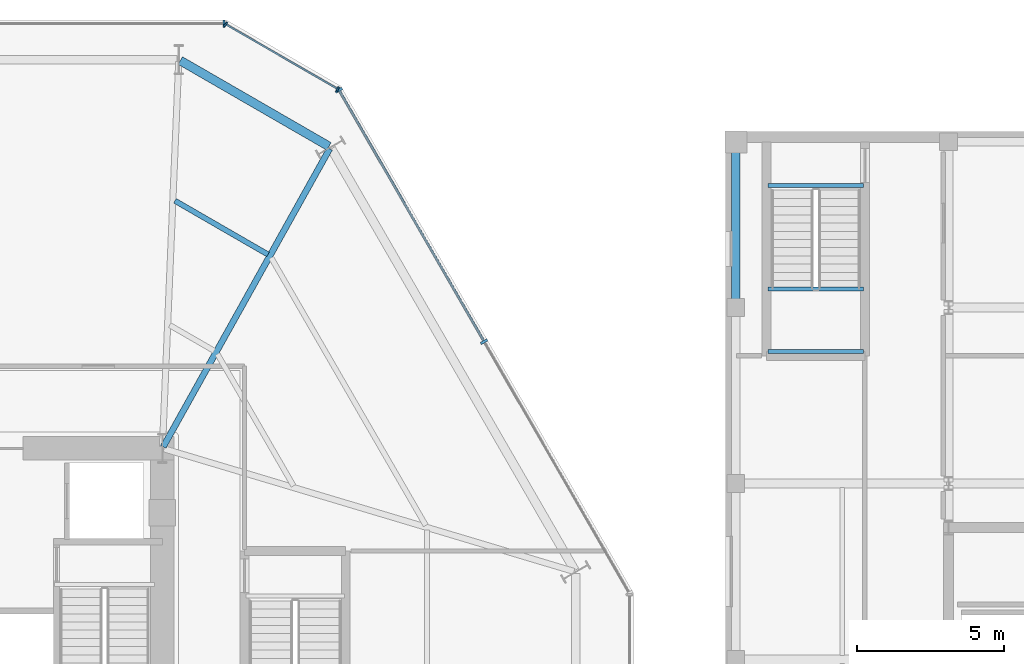
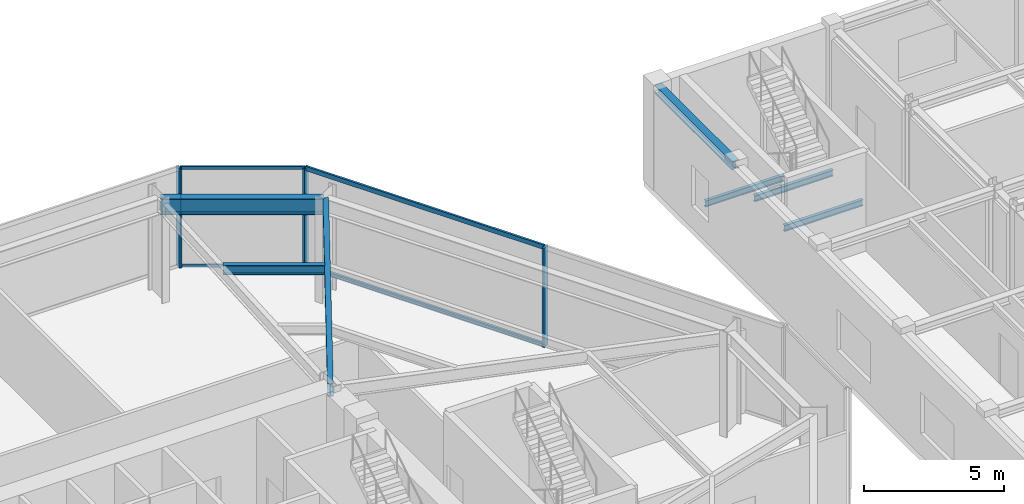
# One storey, part 13 of 22: 9 members, 7 beams, 3 elements without a shape of their own.
"""IFC4 building model written with IfcOpenShell, lengths in metres."""

from ifc_helpers import new_model, si_unit, direction, frame, origin, origin_2d, place, context, subcontext, project, spatial, rectangle, i_section, extrude, material, layer, layer_set, material_profile, profile_set, type_object, element, aggregate, save


model = new_model("IFC4")

# Units and contexts
model_context = context("Model", 3, precision=1e-05, world=origin(), true_north=direction((0.0, 1.0)))
body_context = subcontext(model_context, "Body", "Model", "MODEL_VIEW")
ifc_project = project(units=[si_unit("LENGTHUNIT", "METRE"), si_unit("AREAUNIT", "SQUARE_METRE"), si_unit("VOLUMEUNIT", "CUBIC_METRE"), si_unit("PLANEANGLEUNIT", "RADIAN"), si_unit("MASSUNIT", "GRAM", prefix="KILO")], contexts=[model_context])

# Site, building, storey
site_placement = place(None, origin())
site = spatial("IfcSite", under=ifc_project, at=site_placement, CompositionType="ELEMENT")
building_placement = place(site_placement, origin())
building = spatial("IfcBuilding", under=site, at=building_placement, Name="Kranzbogen Civic Tower", CompositionType="ELEMENT")
storey_placement = place(building_placement, frame((0.0, 0.0, 5.199951171875)))
storey = spatial("IfcBuildingStorey", under=building, at=storey_placement, Name="L01", CompositionType="ELEMENT", Elevation=5.199951171875)

# Curtain wall, members
ifc_material_1 = material(Name="Pale Anodised Aluminium", Category="aluminium")
ifc_layer_1 = layer(ifc_material_1, 0.219970703125, Name="Pale Anodised Aluminium")
ifc_layer_set_1 = layer_set([ifc_layer_1], Name="Pale Anodised Aluminium")
curtain_wall_type_1 = type_object("IfcCurtainWallType", Name="Chamfer Facet Stick Curtain Wall System CW-06", PredefinedType="USERDEFINED", material=ifc_layer_set_1)
curtain_wall_1_placement = place(storey_placement, origin())
curtain_wall_1 = element("IfcCurtainWall", 1, at=curtain_wall_1_placement, inside=storey, type_object=curtain_wall_type_1, Name="L01 curtain wall CW-L01-C1", ObjectType="STICK CURTAIN WALL", PredefinedType="USERDEFINED")
ifc_material_profile_1 = material_profile(ifc_material_1, rectangle(XDim=0.06005859375, YDim=0.159912109375, at=origin_2d()), Name="ALU-M 60x160")
ifc_profile_set_1 = profile_set([ifc_material_profile_1], Name="Pale Anodised Aluminium")
member_type_1 = type_object("IfcMemberType", Name="Curtain Wall Mullion ALU-M 60x160", PredefinedType="MULLION", material=ifc_profile_set_1)
member_1_placement = place(storey_placement, frame((38.778076171875, 44.450927734375, 0.0), z_axis=(0.0, 0.0, 1.0), x_axis=(-0.865992001897, 0.500057849305, 0.0)))
member_1 = element("IfcMember", 2, at=member_1_placement, type_object=member_type_1, Name="CW-06 mullion 1", PredefinedType="MULLION", context=body_context, shape_type="SweptSolid", body=[
    extrude(rectangle(XDim=0.06005859375, YDim=0.159912109375, at=origin_2d()), origin(), (0.0, 0.0, 1.0), 4.340087890625),
])
member_2_placement = place(storey_placement, frame((34.9560546875, 46.657958984375, 0.0), z_axis=(0.0, 0.0, 1.0), x_axis=(-0.865992001897, 0.500057849305, 0.0)))
member_2 = element("IfcMember", 3, at=member_2_placement, type_object=member_type_1, Name="CW-06 mullion 2", PredefinedType="MULLION", context=body_context, shape_type="SweptSolid", body=[
    extrude(rectangle(XDim=0.06005859375, YDim=0.159912109375, at=origin_2d()), origin(), (0.0, 0.0, 1.0), 4.340087890625),
])

ifc_layer_2 = layer(ifc_material_1, 0.219970703125, Name="Pale Anodised Aluminium")
ifc_layer_set_2 = layer_set([ifc_layer_2], Name="Pale Anodised Aluminium")
curtain_wall_type_2 = type_object("IfcCurtainWallType", Name="Podium Stick Curtain Wall System CW-01", PredefinedType="USERDEFINED", material=ifc_layer_set_2)
curtain_wall_2_placement = place(storey_placement, origin())
curtain_wall_2 = element("IfcCurtainWall", 4, at=curtain_wall_2_placement, inside=storey, type_object=curtain_wall_type_2, Name="L01 curtain wall CW-L01-F1", ObjectType="STICK CURTAIN WALL", PredefinedType="USERDEFINED")
ifc_material_profile_2 = material_profile(ifc_material_1, rectangle(XDim=0.0849609375, YDim=0.260009765625, at=origin_2d()), Name="ALU-M 85x260")
ifc_profile_set_2 = profile_set([ifc_material_profile_2], Name="Pale Anodised Aluminium")
member_type_2 = type_object("IfcMemberType", Name="Curtain Wall Mullion ALU-M 85x260", PredefinedType="MULLION", material=ifc_profile_set_2)
member_3_placement = place(storey_placement, frame((43.76904296875, 35.83642578125, 0.0), z_axis=(0.0, 0.0, 1.0), x_axis=(-0.500005767433, 0.86602207393, 0.0)))
member_3 = element("IfcMember", 5, at=member_3_placement, type_object=member_type_2, Name="CW-01 mullion 2", PredefinedType="MULLION", context=body_context, shape_type="SweptSolid", body=[
    extrude(rectangle(XDim=0.0849609375, YDim=0.260009765625, at=origin_2d()), origin(), (0.0, 0.0, 1.0), 4.340087890625),
])
member_4_placement = place(storey_placement, frame((38.819091796875, 44.409912109375, 0.0), z_axis=(0.0, 0.0, 1.0), x_axis=(-0.500005767433, 0.86602207393, 0.0)))
member_4 = element("IfcMember", 6, at=member_4_placement, type_object=member_type_2, Name="CW-01 mullion 3", PredefinedType="MULLION", context=body_context, shape_type="SweptSolid", body=[
    extrude(rectangle(XDim=0.0849609375, YDim=0.260009765625, at=origin_2d()), origin(), (0.0, 0.0, 1.0), 4.340087890625),
])

# Curtain wall, member
curtain_wall_3_placement = place(storey_placement, origin())
curtain_wall_3 = element("IfcCurtainWall", 7, at=curtain_wall_3_placement, inside=storey, type_object=curtain_wall_type_2, Name="L01 curtain wall CW-L01-F2", ObjectType="STICK CURTAIN WALL", PredefinedType="USERDEFINED")
member_5_placement = place(storey_placement, frame((34.89990234375, 46.673095703125, 0.0), z_axis=(0.0, 0.0, 1.0), x_axis=(-1.0, 0.0, 0.0)))
member_5 = element("IfcMember", 8, at=member_5_placement, type_object=member_type_2, Name="CW-01 mullion 1", PredefinedType="MULLION", context=body_context, shape_type="SweptSolid", body=[
    extrude(rectangle(XDim=0.0849609375, YDim=0.260009765625, at=origin_2d()), origin(), (0.0, 0.0, 1.0), 4.340087890625),
])
aggregate(curtain_wall_3, [member_5])

# Member
ifc_material_profile_3 = material_profile(ifc_material_1, rectangle(XDim=0.06005859375, YDim=0.1201171875, at=origin_2d()), Name="ALU-T 60x120")
ifc_profile_set_3 = profile_set([ifc_material_profile_3], Name="Pale Anodised Aluminium")
member_type_3 = type_object("IfcMemberType", Name="Curtain Wall Transom ALU-T 60x120", PredefinedType="USERDEFINED", material=ifc_profile_set_3)
member_6_placement = place(storey_placement, frame((38.751953125, 44.466064453125, 0.030029296875), z_axis=(-0.865987588642, 0.500065492029, 0.0), x_axis=(-0.500065492029, -0.865987588642, 0.0)))
member_6 = element("IfcMember", 9, at=member_6_placement, type_object=member_type_3, Name="CW-06 transom 1.1", ObjectType="TRANSOM", PredefinedType="USERDEFINED", context=body_context, shape_type="SweptSolid", body=[
    extrude(rectangle(XDim=0.06005859375, YDim=0.1201171875, at=origin_2d()), origin(), (0.0, 0.0, 1.0), 4.353515625),
])

member_7_placement = place(storey_placement, frame((38.751953125, 44.466064453125, 4.31005859375), z_axis=(-0.865987588642, 0.500065492029, 0.0), x_axis=(-0.500065492029, -0.865987588642, 0.0)))
member_7 = element("IfcMember", 10, at=member_7_placement, type_object=member_type_3, Name="CW-06 transom 1.2", ObjectType="TRANSOM", PredefinedType="USERDEFINED", context=body_context, shape_type="SweptSolid", body=[
    extrude(rectangle(XDim=0.06005859375, YDim=0.1201171875, at=origin_2d()), origin(), (0.0, 0.0, 1.0), 4.353515625),
])

aggregate(curtain_wall_1, [member_1, member_2, member_6, member_7])

ifc_material_profile_4 = material_profile(ifc_material_1, rectangle(XDim=0.0849609375, YDim=0.195068359375, at=origin_2d()), Name="ALU-T 85x195")
ifc_profile_set_4 = profile_set([ifc_material_profile_4], Name="Pale Anodised Aluminium")
member_type_4 = type_object("IfcMemberType", Name="Curtain Wall Transom ALU-T 85x195", PredefinedType="USERDEFINED", material=ifc_profile_set_4)
member_8_placement = place(storey_placement, frame((43.75390625, 35.862548828125, 0.030029296875), z_axis=(-0.500003092839, 0.866023618125, 0.0), x_axis=(-0.866023618125, -0.500003092839, 0.0)))
member_8 = element("IfcMember", 11, at=member_8_placement, type_object=member_type_4, Name="CW-01 transom 2.1", ObjectType="TRANSOM", PredefinedType="USERDEFINED", context=body_context, shape_type="SweptSolid", body=[
    extrude(rectangle(XDim=0.0849609375, YDim=0.195068359375, at=origin_2d()), origin(), (0.0, 0.0, 1.0), 9.83984375),
])

member_9_placement = place(storey_placement, frame((43.75390625, 35.862548828125, 4.31005859375), z_axis=(-0.500003092839, 0.866023618125, 0.0), x_axis=(-0.866023618125, -0.500003092839, 0.0)))
member_9 = element("IfcMember", 12, at=member_9_placement, type_object=member_type_4, Name="CW-01 transom 2.2", ObjectType="TRANSOM", PredefinedType="USERDEFINED", context=body_context, shape_type="SweptSolid", body=[
    extrude(rectangle(XDim=0.0849609375, YDim=0.195068359375, at=origin_2d()), origin(), (0.0, 0.0, 1.0), 9.83984375),
])

aggregate(curtain_wall_2, [member_3, member_4, member_8, member_9])

# Beams
ifc_material_2 = material(Name="Steel S355", Category="steel")
ifc_material_profile_5 = material_profile(ifc_material_2, i_section(OverallWidth=0.300048828125, OverallDepth=0.360107421875, WebThickness=0.012451171875, FlangeThickness=0.0224609375, at=origin_2d()), Name="HEB 360")
ifc_profile_set_5 = profile_set([ifc_material_profile_5], Name="Steel S355")
beam_type_1 = type_object("IfcBeamType", Name="Health Centre Primary Floor Beam HEB 360", PredefinedType="BEAM", material=ifc_profile_set_5)
beam_1_placement = place(storey_placement, frame((52.35009765625, 37.06005859375, 4.16015625), z_axis=(0.0, 1.0, 0.0), x_axis=(-1.0, 0.0, 0.0)))
element("IfcBeam", 13, at=beam_1_placement, inside=storey, type_object=beam_type_1, Name="L01 Health Centre Y girder 1-6", PredefinedType="BEAM", context=body_context, shape_type="SweptSolid", body=[
    extrude(i_section(OverallWidth=0.300048828125, OverallDepth=0.360107421875, WebThickness=0.012451171875, FlangeThickness=0.0224609375, at=origin_2d()), origin(), (0.0, 0.0, 1.0), 5.530029296875),
])
ifc_material_profile_6 = material_profile(ifc_material_2, i_section(OverallWidth=0.300048828125, OverallDepth=0.699951171875, WebThickness=0.01708984375, FlangeThickness=0.031982421875, at=origin_2d()), Name="HEB 700")
ifc_profile_set_6 = profile_set([ifc_material_profile_6], Name="Steel S355")
beam_type_2 = type_object("IfcBeamType", Name="Perimeter Tube Spandrel Beam HEB 700", PredefinedType="SPANDREL", material=ifc_profile_set_6)
beam_2_placement = place(storey_placement, frame((38.47900390625, 42.493896484375, 3.989990234375), z_axis=(-0.86602927387, 0.499993296755, 0.0), x_axis=(-0.499993296755, -0.86602927387, 0.0)))
element("IfcBeam", 14, at=beam_2_placement, inside=storey, type_object=beam_type_2, Name="L01 perimeter spandrel beam 08", PredefinedType="SPANDREL", context=body_context, shape_type="SweptSolid", body=[
    extrude(i_section(OverallWidth=0.300048828125, OverallDepth=0.699951171875, WebThickness=0.01708984375, FlangeThickness=0.031982421875, at=origin_2d()), origin(), (0.0, 0.0, 1.0), 5.85205078125),
])
ifc_material_profile_7 = material_profile(ifc_material_2, i_section(OverallWidth=0.2099609375, OverallDepth=0.550048828125, WebThickness=0.010986328125, FlangeThickness=0.01708984375, at=origin_2d()), Name="IPE 550")
ifc_profile_set_7 = profile_set([ifc_material_profile_7], Name="Steel S355")
beam_type_3 = type_object("IfcBeamType", Name="Radial Tower Floor Girder IPE 550", PredefinedType="BEAM", material=ifc_profile_set_7)
beam_3_placement = place(storey_placement, frame((38.501953125, 42.412109375, 4.06494140625), z_axis=(-0.487501570266, -0.87312211001, 0.0), x_axis=(0.87312211001, -0.487501570266, 0.0)))
element("IfcBeam", 15, at=beam_3_placement, inside=storey, type_object=beam_type_3, Name="L01 radial floor girder 08", PredefinedType="BEAM", context=body_context, shape_type="SweptSolid", body=[
    extrude(i_section(OverallWidth=0.2099609375, OverallDepth=0.550048828125, WebThickness=0.010986328125, FlangeThickness=0.01708984375, at=origin_2d()), origin(), (0.0, 0.0, 1.0), 11.636474609375),
])
ifc_material_profile_8 = material_profile(ifc_material_2, i_section(OverallWidth=0.179931640625, OverallDepth=0.39990234375, WebThickness=0.008544921875, FlangeThickness=0.013427734375, at=origin_2d()), Name="IPE 400")
ifc_profile_set_8 = profile_set([ifc_material_profile_8], Name="Steel S355")
beam_type_4 = type_object("IfcBeamType", Name="Secondary Composite Floor Joist IPE 400", PredefinedType="JOIST", material=ifc_profile_set_8)
beam_4_placement = place(storey_placement, frame((36.39892578125, 38.80908203125, 4.14013671875), z_axis=(-0.866081244924, 0.499903267833, 0.0), x_axis=(-0.499903267833, -0.866081244924, 0.0)))
element("IfcBeam", 16, at=beam_4_placement, inside=storey, type_object=beam_type_4, Name="L01 secondary floor joist 1.08", PredefinedType="JOIST", context=body_context, shape_type="SweptSolid", body=[
    extrude(i_section(OverallWidth=0.179931640625, OverallDepth=0.39990234375, WebThickness=0.008544921875, FlangeThickness=0.013427734375, at=origin_2d()), origin(), (0.0, 0.0, 1.0), 3.662353515625),
])
ifc_material_profile_9 = material_profile(ifc_material_2, i_section(OverallWidth=0.135009765625, OverallDepth=0.27001953125, WebThickness=0.006591796875, FlangeThickness=0.01025390625, at=origin_2d()), Name="IPE 270")
ifc_profile_set_9 = profile_set([ifc_material_profile_9], Name="Steel S355")
beam_type_5 = type_object("IfcBeamType", Name="Stair Landing Support Beam IPE 270", PredefinedType="JOIST", material=ifc_profile_set_9)
for number, where, z_axis, x_axis, name in (
    (17, (53.449951171875, 41.159912109375, -0.39501953125), (1.0, 0.0, 0.0), (0.0, 1.0, 0.0), "L01 ST-H2 stair floor header beam"),
    (18, (53.449951171875, 37.639892578125, 1.965087890625), (1.0, 0.0, 0.0), (0.0, 1.0, 0.0), "L01 ST-H2 landing support beam 1.1"),
    (19, (53.449951171875, 35.5, 1.965087890625), (1.0, 0.0, 0.0), (0.0, 1.0, 0.0), "L01 ST-H2 landing support beam 1.2"),
):
    element("IfcBeam", number, at=place(storey_placement, frame(where, z_axis=z_axis, x_axis=x_axis)), inside=storey, type_object=beam_type_5, Name=name, PredefinedType="JOIST", context=body_context, shape_type="SweptSolid", body=[
        extrude(i_section(OverallWidth=0.135009765625, OverallDepth=0.27001953125, WebThickness=0.006591796875, FlangeThickness=0.01025390625, at=origin_2d()), origin(), (0.0, 0.0, 1.0), 3.25),
    ])

save(model, "model.ifc")
